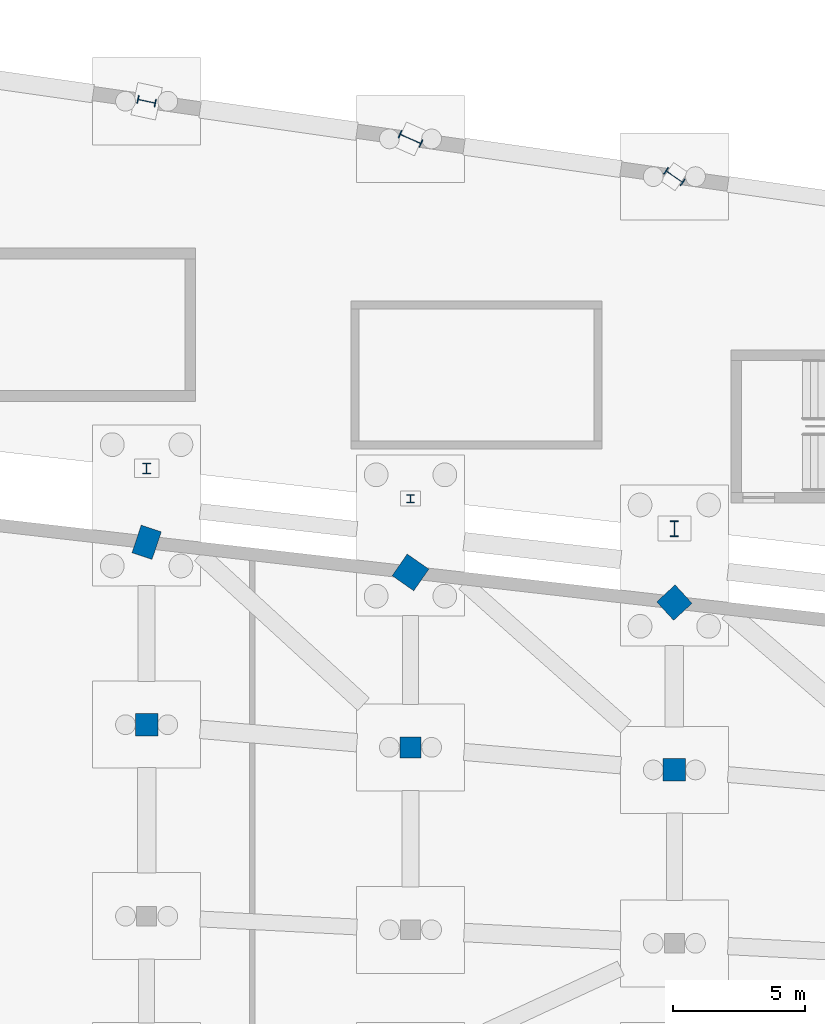
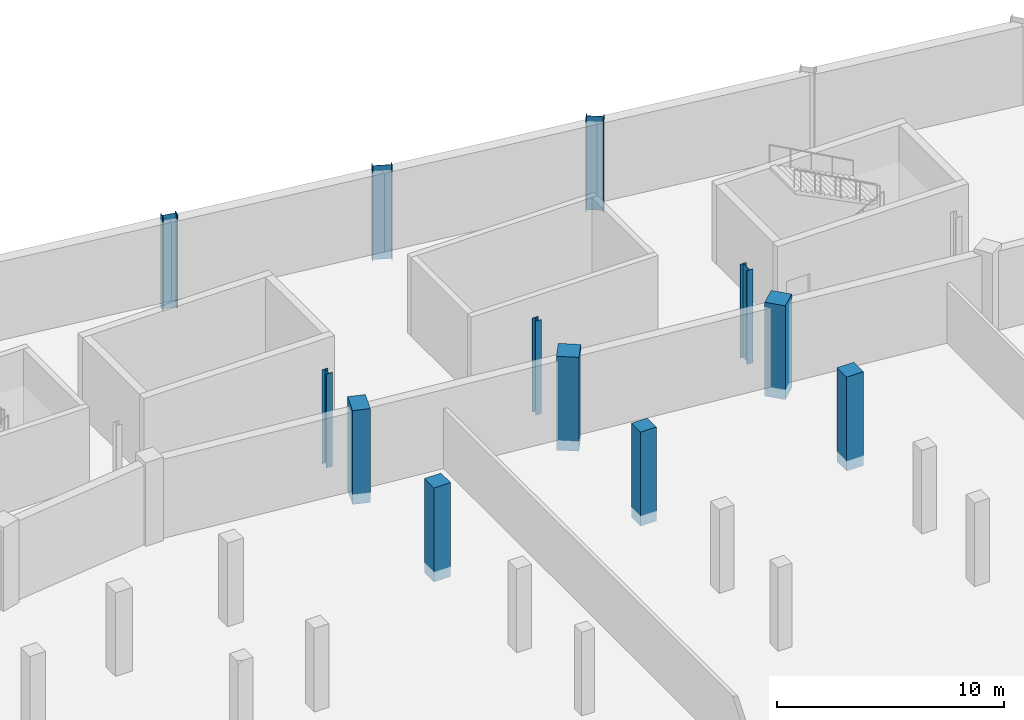
# One storey, part 24 of 55: 12 columns.
"""IFC4 building model written with IfcOpenShell, lengths in metres."""

from ifc_helpers import new_model, si_unit, direction, frame, origin, origin_2d, place, context, subcontext, project, spatial, rectangle, i_section, extrude, material, material_profile, profile_set, type_object, element, save


model = new_model("IFC4")

# Units and contexts
model_context = context("Model", 3, precision=1e-05, world=origin(), true_north=direction((0.0, 1.0)))
body_context = subcontext(model_context, "Body", "Model", "MODEL_VIEW")
ifc_project = project(units=[si_unit("LENGTHUNIT", "METRE"), si_unit("AREAUNIT", "SQUARE_METRE"), si_unit("VOLUMEUNIT", "CUBIC_METRE"), si_unit("PLANEANGLEUNIT", "RADIAN"), si_unit("MASSUNIT", "GRAM", prefix="KILO")], contexts=[model_context])

# Site, building, storey
site_placement = place(None, origin())
site = spatial("IfcSite", under=ifc_project, at=site_placement, CompositionType="ELEMENT")
building_placement = place(site_placement, origin())
building = spatial("IfcBuilding", under=site, at=building_placement, Name="Sohan Crest Arena", CompositionType="ELEMENT")
storey_placement = place(building_placement, frame((0.0, 0.0, -4.5)))
storey = spatial("IfcBuildingStorey", under=building, at=storey_placement, Name="B1", CompositionType="ELEMENT", Elevation=-4.5)

# Columns
ifc_material_1 = material(Name="Concrete C40/50", Category="concrete")
ifc_material_profile_1 = material_profile(ifc_material_1, rectangle(XDim=0.800048828125, YDim=0.800048828125, at=origin_2d()), Name="RC 800x800")
ifc_profile_set_1 = profile_set([ifc_material_profile_1], Name="Concrete C40/50")
column_type_1 = type_object("IfcColumnType", Name="STR-COL-C05", PredefinedType="COLUMN", material=ifc_profile_set_1)
column_1_placement = place(storey_placement, frame((118.0, 100.0859375, -0.550048828125), z_axis=(0.0, 0.0, 1.0), x_axis=(1.0, 0.0, 0.0)))
element("IfcColumn", 1, at=column_1_placement, inside=storey, type_object=column_type_1, Name="Structural column COL-V1M-33-B1", PredefinedType="COLUMN", context=body_context, shape_type="SweptSolid", body=[
    extrude(rectangle(XDim=0.800048828125, YDim=0.800048828125, at=origin_2d()), origin(), (0.0, 0.0, 1.0), 5.050048828125),
])
ifc_material_profile_2 = material_profile(ifc_material_1, rectangle(XDim=0.85009765625, YDim=0.85009765625, at=origin_2d()), Name="RC 850x850")
ifc_profile_set_2 = profile_set([ifc_material_profile_2], Name="Concrete C40/50")
column_type_2 = type_object("IfcColumnType", Name="STR-COL-C06", PredefinedType="COLUMN", material=ifc_profile_set_2)
for number, where, z_axis, x_axis, name in (
    (2, (128.0, 99.22900390625, -0.550048828125), (0.0, 0.0, 1.0), (1.0, 0.0, 0.0), "Structural column COL-V1M-32-B1"),
    (3, (108.0, 100.943115234375, -0.550048828125), (0.0, 0.0, 1.0), (1.0, 0.0, 0.0), "Structural column COL-V1M-34-B1"),
):
    element("IfcColumn", number, at=place(storey_placement, frame(where, z_axis=z_axis, x_axis=x_axis)), inside=storey, type_object=column_type_2, Name=name, PredefinedType="COLUMN", context=body_context, shape_type="SweptSolid", body=[
        extrude(rectangle(XDim=0.85009765625, YDim=0.85009765625, at=origin_2d()), origin(), (0.0, 0.0, 1.0), 5.050048828125),
    ])
ifc_material_profile_3 = material_profile(ifc_material_1, rectangle(XDim=0.949951171875, YDim=0.949951171875, at=origin_2d()), Name="RC 950x950")
ifc_profile_set_3 = profile_set([ifc_material_profile_3], Name="Concrete C40/50")
column_type_3 = type_object("IfcColumnType", Name="STR-COL-C08", PredefinedType="COLUMN", material=ifc_profile_set_3)
column_2_placement = place(storey_placement, frame((128.0, 105.571044921875, -0.550048828125), z_axis=(0.0, 0.0, 1.0), x_axis=(0.73609708712, 0.676875969683, 0.0)))
element("IfcColumn", 4, at=column_2_placement, inside=storey, type_object=column_type_3, Name="Structural column COL-V1R-32-B1", PredefinedType="COLUMN", context=body_context, shape_type="SweptSolid", body=[
    extrude(rectangle(XDim=0.949951171875, YDim=0.949951171875, at=origin_2d()), origin(), (0.0, 0.0, 1.0), 5.050048828125),
])
ifc_material_profile_4 = material_profile(ifc_material_1, rectangle(XDim=1.0, YDim=1.0, at=origin_2d()), Name="RC 1000x1000")
ifc_profile_set_4 = profile_set([ifc_material_profile_4], Name="Concrete C40/50")
column_type_4 = type_object("IfcColumnType", Name="STR-COL-C09", PredefinedType="COLUMN", material=ifc_profile_set_4)
column_3_placement = place(storey_placement, frame((118.0, 106.714111328125, -0.550048828125), z_axis=(0.0, 0.0, 1.0), x_axis=(0.572145873446, 0.820151875874, 0.0)))
element("IfcColumn", 5, at=column_3_placement, inside=storey, type_object=column_type_4, Name="Structural column COL-V1R-33-B1", PredefinedType="COLUMN", context=body_context, shape_type="SweptSolid", body=[
    extrude(rectangle(XDim=1.0, YDim=1.0, at=origin_2d()), origin(), (0.0, 0.0, 1.0), 5.050048828125),
])
ifc_material_profile_5 = material_profile(ifc_material_1, rectangle(XDim=1.10009765625, YDim=0.800048828125, at=origin_2d()), Name="RC 1100x800")
ifc_profile_set_5 = profile_set([ifc_material_profile_5], Name="Concrete C40/50")
column_type_5 = type_object("IfcColumnType", Name="STR-COL-C10", PredefinedType="COLUMN", material=ifc_profile_set_5)
column_4_placement = place(storey_placement, frame((108.0, 107.85693359375, -0.550048828125), z_axis=(0.0, 0.0, 1.0), x_axis=(0.317304656405, 0.948323655206, 0.0)))
element("IfcColumn", 6, at=column_4_placement, inside=storey, type_object=column_type_5, Name="Structural column COL-V1R-34-B1", PredefinedType="COLUMN", context=body_context, shape_type="SweptSolid", body=[
    extrude(rectangle(XDim=1.10009765625, YDim=0.800048828125, at=origin_2d()), origin(), (0.0, 0.0, 1.0), 5.050048828125),
])
ifc_material_2 = material(Name="Steel S355", Category="steel")
ifc_material_profile_6 = material_profile(ifc_material_2, i_section(OverallWidth=0.300048828125, OverallDepth=0.300048828125, WebThickness=0.010986328125, FlangeThickness=0.01904296875, at=origin_2d()), Name="HEB 300")
ifc_profile_set_6 = profile_set([ifc_material_profile_6], Name="Steel S355")
column_type_6 = type_object("IfcColumnType", Name="STR-COL-C17", PredefinedType="COLUMN", material=ifc_profile_set_6)
column_5_placement = place(storey_placement, frame((118.0, 109.513916015625, -0.550048828125), z_axis=(0.0, 0.0, 1.0), x_axis=(1.0, 0.0, 0.0)))
element("IfcColumn", 7, at=column_5_placement, inside=storey, type_object=column_type_6, Name="Structural column COL-V2I-33-B1", PredefinedType="COLUMN", context=body_context, shape_type="SweptSolid", body=[
    extrude(i_section(OverallWidth=0.300048828125, OverallDepth=0.300048828125, WebThickness=0.010986328125, FlangeThickness=0.01904296875, at=origin_2d()), origin(), (0.0, 0.0, 1.0), 5.050048828125),
])
ifc_material_profile_7 = material_profile(ifc_material_2, i_section(OverallWidth=0.300048828125, OverallDepth=0.39990234375, WebThickness=0.013427734375, FlangeThickness=0.02392578125, at=origin_2d()), Name="HEB 400")
ifc_profile_set_7 = profile_set([ifc_material_profile_7], Name="Steel S355")
column_type_7 = type_object("IfcColumnType", Name="STR-COL-C18", PredefinedType="COLUMN", material=ifc_profile_set_7)
column_6_placement = place(storey_placement, frame((108.0, 110.656982421875, -0.550048828125), z_axis=(0.0, 0.0, 1.0), x_axis=(1.0, 0.0, 0.0)))
element("IfcColumn", 8, at=column_6_placement, inside=storey, type_object=column_type_7, Name="Structural column COL-V2I-34-B1", PredefinedType="COLUMN", context=body_context, shape_type="SweptSolid", body=[
    extrude(i_section(OverallWidth=0.300048828125, OverallDepth=0.39990234375, WebThickness=0.013427734375, FlangeThickness=0.02392578125, at=origin_2d()), origin(), (0.0, 0.0, 1.0), 5.050048828125),
])
ifc_material_profile_8 = material_profile(ifc_material_2, i_section(OverallWidth=0.300048828125, OverallDepth=0.60009765625, WebThickness=0.015380859375, FlangeThickness=0.030029296875, at=origin_2d()), Name="HEB 600")
ifc_profile_set_8 = profile_set([ifc_material_profile_8], Name="Steel S355")
column_type_8 = type_object("IfcColumnType", Name="STR-COL-C20", PredefinedType="COLUMN", material=ifc_profile_set_8)
column_7_placement = place(storey_placement, frame((128.0, 108.37109375, -0.550048828125), z_axis=(0.0, 0.0, 1.0), x_axis=(1.0, 0.0, 0.0)))
element("IfcColumn", 9, at=column_7_placement, inside=storey, type_object=column_type_8, Name="Structural column COL-V2I-32-B1", PredefinedType="COLUMN", context=body_context, shape_type="SweptSolid", body=[
    extrude(i_section(OverallWidth=0.300048828125, OverallDepth=0.60009765625, WebThickness=0.015380859375, FlangeThickness=0.030029296875, at=origin_2d()), origin(), (0.0, 0.0, 1.0), 5.050048828125),
])
ifc_material_profile_9 = material_profile(ifc_material_2, i_section(OverallWidth=0.300048828125, OverallDepth=0.699951171875, WebThickness=0.01708984375, FlangeThickness=0.031982421875, at=origin_2d()), Name="HEB 700")
ifc_profile_set_9 = profile_set([ifc_material_profile_9], Name="Steel S355")
column_type_9 = type_object("IfcColumnType", Name="STR-COL-C21", PredefinedType="COLUMN", material=ifc_profile_set_9)
column_8_placement = place(storey_placement, frame((108.0, 124.571044921875, -0.550048828125), z_axis=(0.0, 0.0, 1.0), x_axis=(0.209618562904, 0.977783236759, 0.0)))
element("IfcColumn", 10, at=column_8_placement, inside=storey, type_object=column_type_9, Name="Structural column COL-V2O-34-B1", PredefinedType="COLUMN", context=body_context, shape_type="SweptSolid", body=[
    extrude(i_section(OverallWidth=0.300048828125, OverallDepth=0.699951171875, WebThickness=0.01708984375, FlangeThickness=0.031982421875, at=origin_2d()), origin(), (0.0, 0.0, 1.0), 5.050048828125),
])
ifc_material_profile_10 = material_profile(ifc_material_2, i_section(OverallWidth=0.300048828125, OverallDepth=0.800048828125, WebThickness=0.017578125, FlangeThickness=0.032958984375, at=origin_2d()), Name="HEB 800")
ifc_profile_set_10 = profile_set([ifc_material_profile_10], Name="Steel S355")
column_type_10 = type_object("IfcColumnType", Name="STR-COL-C22", PredefinedType="COLUMN", material=ifc_profile_set_10)
column_9_placement = place(storey_placement, frame((128.0, 121.714111328125, -0.550048828125), z_axis=(0.0, 0.0, 1.0), x_axis=(0.566406236925, 0.824126188622, 0.0)))
element("IfcColumn", 11, at=column_9_placement, inside=storey, type_object=column_type_10, Name="Structural column COL-V2O-32-B1", PredefinedType="COLUMN", context=body_context, shape_type="SweptSolid", body=[
    extrude(i_section(OverallWidth=0.300048828125, OverallDepth=0.800048828125, WebThickness=0.017578125, FlangeThickness=0.032958984375, at=origin_2d()), origin(), (0.0, 0.0, 1.0), 5.050048828125),
])
ifc_material_profile_11 = material_profile(ifc_material_2, i_section(OverallWidth=0.300048828125, OverallDepth=0.89990234375, WebThickness=0.0185546875, FlangeThickness=0.034912109375, at=origin_2d()), Name="HEB 900")
ifc_profile_set_11 = profile_set([ifc_material_profile_11], Name="Steel S355")
column_type_11 = type_object("IfcColumnType", Name="STR-COL-C23", PredefinedType="COLUMN", material=ifc_profile_set_11)
column_10_placement = place(storey_placement, frame((118.0, 123.14306640625, -0.550048828125), z_axis=(0.0, 0.0, 1.0), x_axis=(0.40514158678, 0.914253955234, 0.0)))
element("IfcColumn", 12, at=column_10_placement, inside=storey, type_object=column_type_11, Name="Structural column COL-V2O-33-B1", PredefinedType="COLUMN", context=body_context, shape_type="SweptSolid", body=[
    extrude(i_section(OverallWidth=0.300048828125, OverallDepth=0.89990234375, WebThickness=0.0185546875, FlangeThickness=0.034912109375, at=origin_2d()), origin(), (0.0, 0.0, 1.0), 5.050048828125),
])

save(model, "model.ifc")
